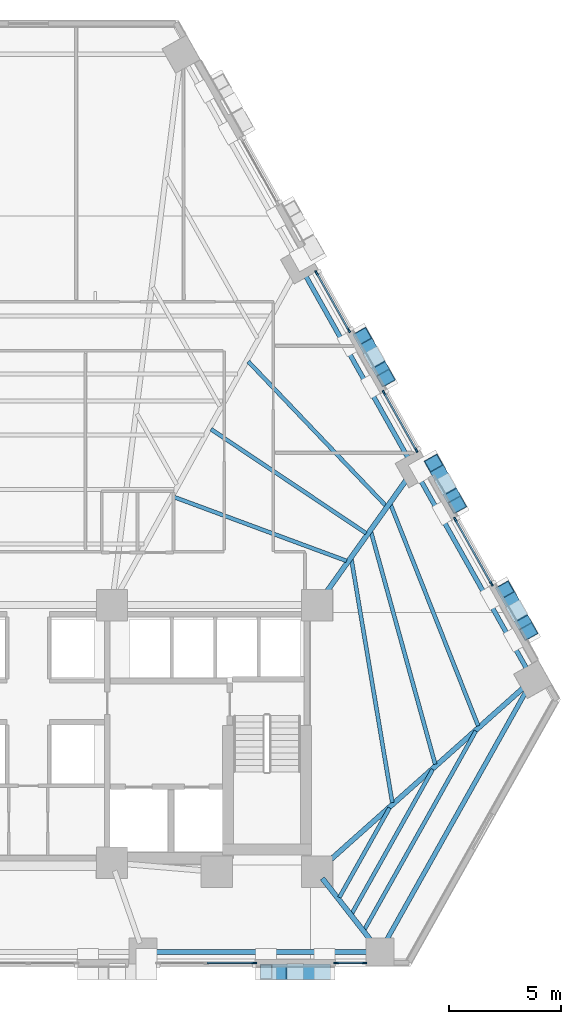
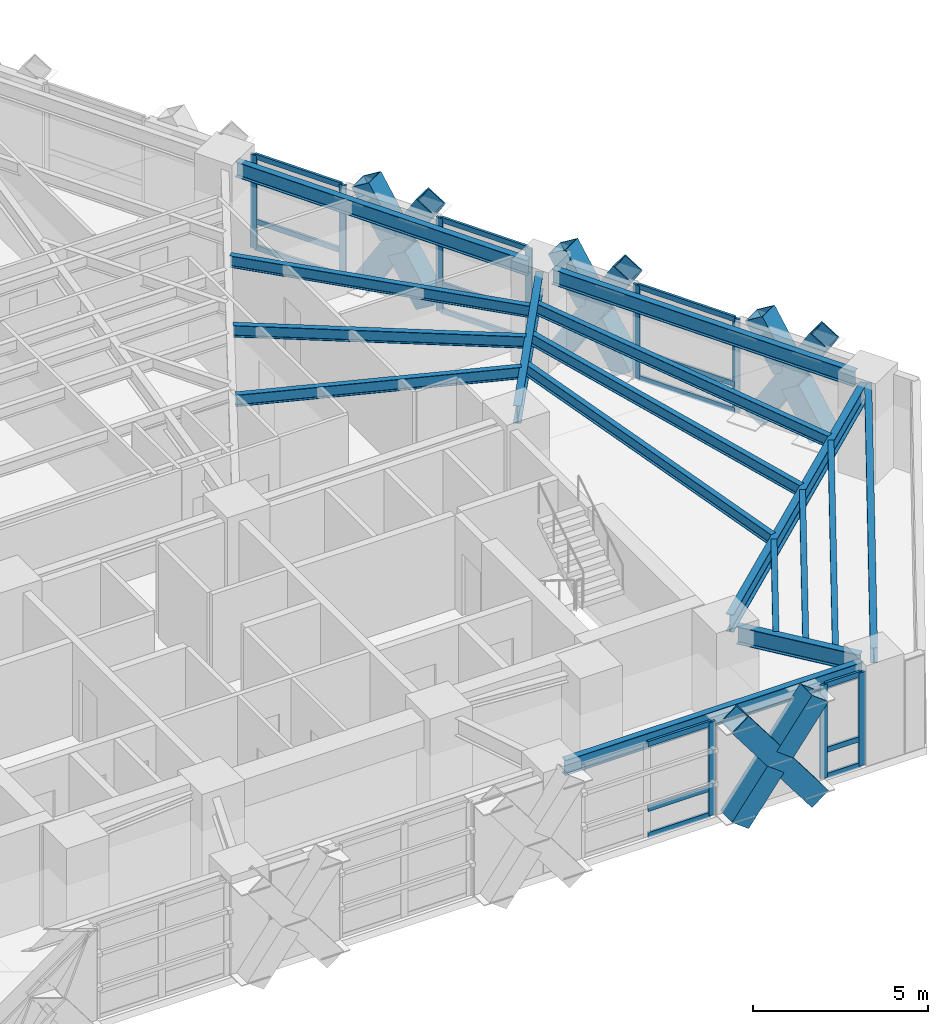
# One storey, part 4 of 13: 36 members, 16 beams, 5 elements without a shape of their own.
"""IFC4 building model written with IfcOpenShell, lengths in metres."""

from ifc_helpers import new_model, si_unit, direction, frame, origin, origin_2d, place, context, subcontext, project, spatial, rectangle, hollow_rectangle, i_section, extrude, material, material_profile, profile_set, type_object, element, aggregate, save


model = new_model("IFC4")

# Units and contexts
model_context = context("Model", 3, precision=1e-05, world=origin(), true_north=direction((0.0, 1.0)))
body_context = subcontext(model_context, "Body", "Model", "MODEL_VIEW")
ifc_project = project(units=[si_unit("LENGTHUNIT", "METRE"), si_unit("AREAUNIT", "SQUARE_METRE"), si_unit("VOLUMEUNIT", "CUBIC_METRE"), si_unit("PLANEANGLEUNIT", "RADIAN"), si_unit("MASSUNIT", "GRAM", prefix="KILO")], contexts=[model_context])

# Site, building, storey
site_placement = place(None, origin())
site = spatial("IfcSite", under=ifc_project, at=site_placement, CompositionType="ELEMENT")
building_placement = place(site_placement, origin())
building = spatial("IfcBuilding", under=site, at=building_placement, Name="Quenlor Broadcast Tower", CompositionType="ELEMENT")
storey_placement = place(building_placement, frame((0.0, 0.0, 52.10009765625)))
storey = spatial("IfcBuildingStorey", under=building, at=storey_placement, Name="L13", CompositionType="ELEMENT", Elevation=52.10009765625)

# Curtain wall, members
ifc_material_1 = material(Name="Architectural Terracotta and Low-E Glazing", Category="masonry")
curtain_wall_type = type_object("IfcCurtainWallType", Name="Unitised Terracotta Curtain Wall System Z1", PredefinedType="NOTDEFINED", material=ifc_material_1)
curtain_wall_1_placement = place(storey_placement, origin())
curtain_wall_1 = element("IfcCurtainWall", 1, at=curtain_wall_1_placement, inside=storey, type_object=curtain_wall_type, Name="L13 Curtain Wall CW1 (L13-SA-G1)", PredefinedType="NOTDEFINED")
ifc_material_2 = material(Name="Aluminium 6063-T6", Category="aluminium")
ifc_material_profile_1 = material_profile(ifc_material_2, rectangle(XDim=0.080078125, YDim=0.219970703125, at=origin_2d()))
ifc_profile_set_1 = profile_set([ifc_material_profile_1], Name="Aluminium 6063-T6 MULL80x220")
member_type_1 = type_object("IfcMemberType", Name="CW1 Aluminium Mullion MULL_CW1", PredefinedType="MULLION", material=ifc_profile_set_1)
member_1_placement = place(storey_placement, frame((15.0751953125, -20.840087890625, 0.0), z_axis=(0.0, 0.0, 1.0), x_axis=(0.0, -1.0, 0.0)))
member_1 = element("IfcMember", 2, at=member_1_placement, type_object=member_type_1, Name="CW1 mullion 1", PredefinedType="MULLION", context=body_context, shape_type="SweptSolid", body=[
    extrude(rectangle(XDim=0.080078125, YDim=0.219970703125, at=origin_2d()), origin(), (0.0, 0.0, 1.0), 3.25),
])
member_2_placement = place(storey_placement, frame((13.806884765625, -20.840087890625, 0.0), z_axis=(0.0, 0.0, 1.0), x_axis=(0.0, -1.0, 0.0)))
member_2 = element("IfcMember", 3, at=member_2_placement, type_object=member_type_1, Name="CW1 mullion 2", PredefinedType="MULLION", context=body_context, shape_type="SweptSolid", body=[
    extrude(rectangle(XDim=0.080078125, YDim=0.219970703125, at=origin_2d()), origin(), (0.0, 0.0, 1.0), 3.25),
])

# Curtain wall, member
curtain_wall_2_placement = place(storey_placement, origin())
curtain_wall_2 = element("IfcCurtainWall", 4, at=curtain_wall_2_placement, inside=storey, type_object=curtain_wall_type, Name="L13 Curtain Wall CW1 (L13-SA-G2)", PredefinedType="NOTDEFINED")
member_3_placement = place(storey_placement, frame((10.134765625, -20.840087890625, 0.0), z_axis=(0.0, 0.0, 1.0), x_axis=(0.0, -1.0, 0.0)))
member_3 = element("IfcMember", 5, at=member_3_placement, type_object=member_type_1, Name="CW1 mullion 1", PredefinedType="MULLION", context=body_context, shape_type="SweptSolid", body=[
    extrude(rectangle(XDim=0.080078125, YDim=0.219970703125, at=origin_2d()), origin(), (0.0, 0.0, 1.0), 3.25),
])

# Curtain wall, members
curtain_wall_3_placement = place(storey_placement, origin())
curtain_wall_3 = element("IfcCurtainWall", 6, at=curtain_wall_3_placement, inside=storey, type_object=curtain_wall_type, Name="L13 Curtain Wall CW1 (L13-NEC-G1)", PredefinedType="NOTDEFINED")
member_4_placement = place(storey_placement, frame((19.146484375, -0.964599609375, 0.0), z_axis=(0.0, 0.0, 1.0), x_axis=(0.871577906875, 0.49025702672, 0.0)))
member_4 = element("IfcMember", 7, at=member_4_placement, type_object=member_type_1, Name="CW1 mullion 1", PredefinedType="MULLION", context=body_context, shape_type="SweptSolid", body=[
    extrude(rectangle(XDim=0.080078125, YDim=0.219970703125, at=origin_2d()), origin(), (0.0, 0.0, 1.0), 3.25),
])
member_5_placement = place(storey_placement, frame((20.764892578125, -3.841552734375, 0.0), z_axis=(0.0, 0.0, 1.0), x_axis=(0.871577906875, 0.49025702672, 0.0)))
member_5 = element("IfcMember", 8, at=member_5_placement, type_object=member_type_1, Name="CW1 mullion 2", PredefinedType="MULLION", context=body_context, shape_type="SweptSolid", body=[
    extrude(rectangle(XDim=0.080078125, YDim=0.219970703125, at=origin_2d()), origin(), (0.0, 0.0, 1.0), 3.25),
])

curtain_wall_4_placement = place(storey_placement, origin())
curtain_wall_4 = element("IfcCurtainWall", 9, at=curtain_wall_4_placement, inside=storey, type_object=curtain_wall_type, Name="L13 Curtain Wall CW1 (L13-NE-G1)", PredefinedType="NOTDEFINED")
member_6_placement = place(storey_placement, frame((12.926025390625, 10.09423828125, 0.0), z_axis=(0.0, 0.0, 1.0), x_axis=(0.871568481465, 0.490273782815, 0.0)))
member_6 = element("IfcMember", 10, at=member_6_placement, type_object=member_type_1, Name="CW1 mullion 1", PredefinedType="MULLION", context=body_context, shape_type="SweptSolid", body=[
    extrude(rectangle(XDim=0.080078125, YDim=0.219970703125, at=origin_2d()), origin(), (0.0, 0.0, 1.0), 3.25),
])
member_7_placement = place(storey_placement, frame((14.371337890625, 7.524658203125, 0.0), z_axis=(0.0, 0.0, 1.0), x_axis=(0.871568481465, 0.490273782815, 0.0)))
member_7 = element("IfcMember", 11, at=member_7_placement, type_object=member_type_1, Name="CW1 mullion 2", PredefinedType="MULLION", context=body_context, shape_type="SweptSolid", body=[
    extrude(rectangle(XDim=0.080078125, YDim=0.219970703125, at=origin_2d()), origin(), (0.0, 0.0, 1.0), 3.25),
])

curtain_wall_5_placement = place(storey_placement, origin())
curtain_wall_5 = element("IfcCurtainWall", 12, at=curtain_wall_5_placement, inside=storey, type_object=curtain_wall_type, Name="L13 Curtain Wall CW1 (L13-NE-G2)", PredefinedType="NOTDEFINED")
member_8_placement = place(storey_placement, frame((15.94970703125, 4.718505859375, 0.0), z_axis=(0.0, 0.0, 1.0), x_axis=(0.871568481465, 0.490273782815, 0.0)))
member_8 = element("IfcMember", 13, at=member_8_placement, type_object=member_type_1, Name="CW1 mullion 1", PredefinedType="MULLION", context=body_context, shape_type="SweptSolid", body=[
    extrude(rectangle(XDim=0.080078125, YDim=0.219970703125, at=origin_2d()), origin(), (0.0, 0.0, 1.0), 3.25),
])
member_9_placement = place(storey_placement, frame((17.39501953125, 2.149169921875, 0.0), z_axis=(0.0, 0.0, 1.0), x_axis=(0.871568481465, 0.490273782815, 0.0)))
member_9 = element("IfcMember", 14, at=member_9_placement, type_object=member_type_1, Name="CW1 mullion 2", PredefinedType="MULLION", context=body_context, shape_type="SweptSolid", body=[
    extrude(rectangle(XDim=0.080078125, YDim=0.219970703125, at=origin_2d()), origin(), (0.0, 0.0, 1.0), 3.25),
])

# Member
ifc_material_3 = material(Name="Aluminium 6063-T6", Category="aluminium")
ifc_material_profile_2 = material_profile(ifc_material_3, rectangle(XDim=0.080078125, YDim=0.179931640625, at=origin_2d()))
ifc_profile_set_2 = profile_set([ifc_material_profile_2], Name="Aluminium 6063-T6 TRAN80x180")
member_type_2 = type_object("IfcMemberType", Name="CW1 Aluminium Transom TRAN_CW1", PredefinedType="USERDEFINED", material=ifc_profile_set_2)
member_10_placement = place(storey_placement, frame((15.03515625, -20.840087890625, 0.039794921875), z_axis=(-1.0, 0.0, 0.0), x_axis=(0.0, -1.0, 0.0)))
member_10 = element("IfcMember", 15, at=member_10_placement, type_object=member_type_2, Name="CW1 transom 1.1", ObjectType="TRANSOM", PredefinedType="USERDEFINED", context=body_context, shape_type="SweptSolid", body=[
    extrude(rectangle(XDim=0.080078125, YDim=0.179931640625, at=origin_2d()), origin(), (0.0, 0.0, 1.0), 1.1884765625),
])

member_11_placement = place(storey_placement, frame((15.03515625, -20.840087890625, 0.949951171875), z_axis=(-1.0, 0.0, 0.0), x_axis=(0.0, -1.0, 0.0)))
member_11 = element("IfcMember", 16, at=member_11_placement, type_object=member_type_2, Name="CW1 transom 1.2", ObjectType="TRANSOM", PredefinedType="USERDEFINED", context=body_context, shape_type="SweptSolid", body=[
    extrude(rectangle(XDim=0.080078125, YDim=0.179931640625, at=origin_2d()), origin(), (0.0, 0.0, 1.0), 1.1884765625),
])

member_12_placement = place(storey_placement, frame((15.03515625, -20.840087890625, 3.2099609375), z_axis=(-1.0, 0.0, 0.0), x_axis=(0.0, -1.0, 0.0)))
member_12 = element("IfcMember", 17, at=member_12_placement, type_object=member_type_2, Name="CW1 transom 1.3", ObjectType="TRANSOM", PredefinedType="USERDEFINED", context=body_context, shape_type="SweptSolid", body=[
    extrude(rectangle(XDim=0.080078125, YDim=0.179931640625, at=origin_2d()), origin(), (0.0, 0.0, 1.0), 1.1884765625),
])

aggregate(curtain_wall_1, [member_1, member_2, member_10, member_11, member_12])

member_13_placement = place(storey_placement, frame((10.0947265625, -20.840087890625, 0.039794921875), z_axis=(-1.0, 0.0, 0.0), x_axis=(0.0, -1.0, 0.0)))
member_13 = element("IfcMember", 18, at=member_13_placement, type_object=member_type_2, Name="CW1 transom 1.1", ObjectType="TRANSOM", PredefinedType="USERDEFINED", context=body_context, shape_type="SweptSolid", body=[
    extrude(rectangle(XDim=0.080078125, YDim=0.179931640625, at=origin_2d()), origin(), (0.0, 0.0, 1.0), 2.072021484375),
])

member_14_placement = place(storey_placement, frame((10.0947265625, -20.840087890625, 0.949951171875), z_axis=(-1.0, 0.0, 0.0), x_axis=(0.0, -1.0, 0.0)))
member_14 = element("IfcMember", 19, at=member_14_placement, type_object=member_type_2, Name="CW1 transom 1.2", ObjectType="TRANSOM", PredefinedType="USERDEFINED", context=body_context, shape_type="SweptSolid", body=[
    extrude(rectangle(XDim=0.080078125, YDim=0.179931640625, at=origin_2d()), origin(), (0.0, 0.0, 1.0), 2.072021484375),
])

member_15_placement = place(storey_placement, frame((10.0947265625, -20.840087890625, 3.2099609375), z_axis=(-1.0, 0.0, 0.0), x_axis=(0.0, -1.0, 0.0)))
member_15 = element("IfcMember", 20, at=member_15_placement, type_object=member_type_2, Name="CW1 transom 1.3", ObjectType="TRANSOM", PredefinedType="USERDEFINED", context=body_context, shape_type="SweptSolid", body=[
    extrude(rectangle(XDim=0.080078125, YDim=0.179931640625, at=origin_2d()), origin(), (0.0, 0.0, 1.0), 2.072021484375),
])

aggregate(curtain_wall_2, [member_3, member_13, member_14, member_15])

member_16_placement = place(storey_placement, frame((19.166015625, -0.99951171875, 0.039794921875), z_axis=(0.490250443683, -0.871581609758, 0.0), x_axis=(0.871581609758, 0.490250443683, 0.0)))
member_16 = element("IfcMember", 21, at=member_16_placement, type_object=member_type_2, Name="CW1 transom 1.1", ObjectType="TRANSOM", PredefinedType="USERDEFINED", context=body_context, shape_type="SweptSolid", body=[
    extrude(rectangle(XDim=0.080078125, YDim=0.179931640625, at=origin_2d()), origin(), (0.0, 0.0, 1.0), 3.220947265625),
])

member_17_placement = place(storey_placement, frame((19.166015625, -0.99951171875, 0.949951171875), z_axis=(0.490250443683, -0.871581609758, 0.0), x_axis=(0.871581609758, 0.490250443683, 0.0)))
member_17 = element("IfcMember", 22, at=member_17_placement, type_object=member_type_2, Name="CW1 transom 1.2", ObjectType="TRANSOM", PredefinedType="USERDEFINED", context=body_context, shape_type="SweptSolid", body=[
    extrude(rectangle(XDim=0.080078125, YDim=0.179931640625, at=origin_2d()), origin(), (0.0, 0.0, 1.0), 3.220947265625),
])

member_18_placement = place(storey_placement, frame((19.166015625, -0.99951171875, 3.2099609375), z_axis=(0.490250443683, -0.871581609758, 0.0), x_axis=(0.871581609758, 0.490250443683, 0.0)))
member_18 = element("IfcMember", 23, at=member_18_placement, type_object=member_type_2, Name="CW1 transom 1.3", ObjectType="TRANSOM", PredefinedType="USERDEFINED", context=body_context, shape_type="SweptSolid", body=[
    extrude(rectangle(XDim=0.080078125, YDim=0.179931640625, at=origin_2d()), origin(), (0.0, 0.0, 1.0), 3.220947265625),
])

aggregate(curtain_wall_3, [member_4, member_5, member_16, member_17, member_18])

member_19_placement = place(storey_placement, frame((12.945556640625, 10.059326171875, 0.039794921875), z_axis=(0.490232948684, -0.871591450179, 0.0), x_axis=(0.871591450179, 0.490232948684, 0.0)))
member_19 = element("IfcMember", 24, at=member_19_placement, type_object=member_type_2, Name="CW1 transom 1.1", ObjectType="TRANSOM", PredefinedType="USERDEFINED", context=body_context, shape_type="SweptSolid", body=[
    extrude(rectangle(XDim=0.080078125, YDim=0.179931640625, at=origin_2d()), origin(), (0.0, 0.0, 1.0), 2.867919921875),
])

member_20_placement = place(storey_placement, frame((12.945556640625, 10.059326171875, 0.949951171875), z_axis=(0.490232948684, -0.871591450179, 0.0), x_axis=(0.871591450179, 0.490232948684, 0.0)))
member_20 = element("IfcMember", 25, at=member_20_placement, type_object=member_type_2, Name="CW1 transom 1.2", ObjectType="TRANSOM", PredefinedType="USERDEFINED", context=body_context, shape_type="SweptSolid", body=[
    extrude(rectangle(XDim=0.080078125, YDim=0.179931640625, at=origin_2d()), origin(), (0.0, 0.0, 1.0), 2.867919921875),
])

member_21_placement = place(storey_placement, frame((12.945556640625, 10.059326171875, 3.2099609375), z_axis=(0.490232948684, -0.871591450179, 0.0), x_axis=(0.871591450179, 0.490232948684, 0.0)))
member_21 = element("IfcMember", 26, at=member_21_placement, type_object=member_type_2, Name="CW1 transom 1.3", ObjectType="TRANSOM", PredefinedType="USERDEFINED", context=body_context, shape_type="SweptSolid", body=[
    extrude(rectangle(XDim=0.080078125, YDim=0.179931640625, at=origin_2d()), origin(), (0.0, 0.0, 1.0), 2.867919921875),
])

aggregate(curtain_wall_4, [member_6, member_7, member_19, member_20, member_21])

member_22_placement = place(storey_placement, frame((15.96923828125, 4.68359375, 0.039794921875), z_axis=(0.490297611432, -0.871555076988, 0.0), x_axis=(0.871555076988, 0.490297611432, 0.0)))
member_22 = element("IfcMember", 27, at=member_22_placement, type_object=member_type_2, Name="CW1 transom 1.1", ObjectType="TRANSOM", PredefinedType="USERDEFINED", context=body_context, shape_type="SweptSolid", body=[
    extrude(rectangle(XDim=0.080078125, YDim=0.179931640625, at=origin_2d()), origin(), (0.0, 0.0, 1.0), 2.8681640625),
])

member_23_placement = place(storey_placement, frame((15.96923828125, 4.68359375, 0.949951171875), z_axis=(0.490297611432, -0.871555076988, 0.0), x_axis=(0.871555076988, 0.490297611432, 0.0)))
member_23 = element("IfcMember", 28, at=member_23_placement, type_object=member_type_2, Name="CW1 transom 1.2", ObjectType="TRANSOM", PredefinedType="USERDEFINED", context=body_context, shape_type="SweptSolid", body=[
    extrude(rectangle(XDim=0.080078125, YDim=0.179931640625, at=origin_2d()), origin(), (0.0, 0.0, 1.0), 2.8681640625),
])

member_24_placement = place(storey_placement, frame((15.96923828125, 4.68359375, 3.2099609375), z_axis=(0.490297611432, -0.871555076988, 0.0), x_axis=(0.871555076988, 0.490297611432, 0.0)))
member_24 = element("IfcMember", 29, at=member_24_placement, type_object=member_type_2, Name="CW1 transom 1.3", ObjectType="TRANSOM", PredefinedType="USERDEFINED", context=body_context, shape_type="SweptSolid", body=[
    extrude(rectangle(XDim=0.080078125, YDim=0.179931640625, at=origin_2d()), origin(), (0.0, 0.0, 1.0), 2.8681640625),
])

aggregate(curtain_wall_5, [member_8, member_9, member_22, member_23, member_24])

# Members
ifc_material_4 = material(Name="Steel S355", Category="steel")
ifc_material_profile_3 = material_profile(ifc_material_4, hollow_rectangle(XDim=0.679931640625, YDim=0.679931640625, WallThickness=0.034912109375, at=origin_2d()))
ifc_profile_set_3 = profile_set([ifc_material_profile_3], Name="Steel S355 RHS680x680x35")
member_type_3 = type_object("IfcMemberType", Name="Perimeter Diagonal Lattice Brace Z1 Steel S355 RHS680x35", PredefinedType="BRACE", material=ifc_profile_set_3)
member_25_placement = place(storey_placement, frame((13.284912109375, -21.235107421875, -0.1201171875), z_axis=(-0.60049964856, 0.0, 0.799625019668), x_axis=(0.0, -1.0, 0.0)))
element("IfcMember", 30, at=member_25_placement, inside=storey, type_object=member_type_3, Name="L13 Perimeter Diamond Lattice S-C1XA", PredefinedType="BRACE", context=body_context, shape_type="SweptSolid", body=[
    extrude(hollow_rectangle(XDim=0.679931640625, YDim=0.679931640625, WallThickness=0.034912109375, at=origin_2d()), origin(), (0.0, 0.0, 1.0), 4.376953125),
])
for number, where, z_axis, x_axis, name in (
    (31, (10.656494140625, -21.235107421875, -0.1201171875), (0.600503659272, 0.0, 0.799622007701), (0.0, 1.0, 0.0), "L13 Perimeter Diamond Lattice S-C1XB1"),
    (32, (12.120849609375, -21.235107421875, 1.829833984375), (0.600503659272, 0.0, 0.799622007701), (0.0, 1.0, 0.0), "L13 Perimeter Diamond Lattice S-C1XB2"),
):
    element("IfcMember", number, at=place(storey_placement, frame(where, z_axis=z_axis, x_axis=x_axis)), inside=storey, type_object=member_type_3, Name=name, PredefinedType="BRACE", context=body_context, shape_type="SweptSolid", body=[
        extrude(hollow_rectangle(XDim=0.679931640625, YDim=0.679931640625, WallThickness=0.034912109375, at=origin_2d()), origin(), (0.0, 0.0, 1.0), 1.9384765625),
    ])
member_26_placement = place(storey_placement, frame((14.978515625, 7.251220703125, -0.1201171875), z_axis=(0.256368393635, -0.455838699906, 0.852341672343), x_axis=(0.871608931644, 0.490201866865, 0.0)))
element("IfcMember", 33, at=member_26_placement, inside=storey, type_object=member_type_3, Name="L13 Perimeter Diamond Lattice NE-C3XA", PredefinedType="BRACE", context=body_context, shape_type="SweptSolid", body=[
    extrude(hollow_rectangle(XDim=0.679931640625, YDim=0.679931640625, WallThickness=0.034912109375, at=origin_2d()), origin(), (0.0, 0.0, 1.0), 4.1064453125),
])
for number, where, z_axis, x_axis, name in (
    (34, (16.03125, 5.37939453125, -0.1201171875), (-0.256435894674, 0.455870991217, 0.852304095549), (-0.871568623966, -0.49027352949, 0.0), "L13 Perimeter Diamond Lattice NE-C3XB1"),
    (35, (15.440673828125, 6.42919921875, 1.843017578125), (-0.256309397679, 0.455886815629, 0.852333681135), (-0.871679226863, -0.490076856683, 0.0), "L13 Perimeter Diamond Lattice NE-C3XB2"),
):
    element("IfcMember", number, at=place(storey_placement, frame(where, z_axis=z_axis, x_axis=x_axis)), inside=storey, type_object=member_type_3, Name=name, PredefinedType="BRACE", context=body_context, shape_type="SweptSolid", body=[
        extrude(hollow_rectangle(XDim=0.679931640625, YDim=0.679931640625, WallThickness=0.034912109375, at=origin_2d()), origin(), (0.0, 0.0, 1.0), 1.80322265625),
    ])
member_27_placement = place(storey_placement, frame((18.175048828125, 1.56787109375, -0.1201171875), z_axis=(0.256430888508, -0.455784649039, 0.8523517778), x_axis=(0.871533027316, 0.490336804959, 0.0)))
element("IfcMember", 36, at=member_27_placement, inside=storey, type_object=member_type_3, Name="L13 Perimeter Diamond Lattice NE-C4XA", PredefinedType="BRACE", context=body_context, shape_type="SweptSolid", body=[
    extrude(hollow_rectangle(XDim=0.679931640625, YDim=0.679931640625, WallThickness=0.034912109375, at=origin_2d()), origin(), (0.0, 0.0, 1.0), 4.106201171875),
])
member_28_placement = place(storey_placement, frame((19.22802734375, -0.3037109375, -0.1201171875), z_axis=(-0.256435894674, 0.455870991217, 0.852304095549), x_axis=(-0.871568623966, -0.49027352949, 0.0)))
element("IfcMember", 37, at=member_28_placement, inside=storey, type_object=member_type_3, Name="L13 Perimeter Diamond Lattice NE-C4XB1", PredefinedType="BRACE", context=body_context, shape_type="SweptSolid", body=[
    extrude(hollow_rectangle(XDim=0.679931640625, YDim=0.679931640625, WallThickness=0.034912109375, at=origin_2d()), origin(), (0.0, 0.0, 1.0), 1.80322265625),
])
member_29_placement = place(storey_placement, frame((18.637451171875, 0.74609375, 1.843017578125), z_axis=(-0.256451721554, 0.455763724789, 0.852356698618), x_axis=(-0.871506382136, -0.490384161547, 0.0)))
element("IfcMember", 38, at=member_29_placement, inside=storey, type_object=member_type_3, Name="L13 Perimeter Diamond Lattice NE-C4XB2", PredefinedType="BRACE", context=body_context, shape_type="SweptSolid", body=[
    extrude(hollow_rectangle(XDim=0.679931640625, YDim=0.679931640625, WallThickness=0.034912109375, at=origin_2d()), origin(), (0.0, 0.0, 1.0), 1.802978515625),
])
member_30_placement = place(storey_placement, frame((21.371826171875, -4.115234375, -0.1201171875), z_axis=(0.256430888508, -0.455784649039, 0.8523517778), x_axis=(0.871533027316, 0.490336804959, 0.0)))
element("IfcMember", 39, at=member_30_placement, inside=storey, type_object=member_type_3, Name="L13 Perimeter Diamond Lattice NE-C5XA", PredefinedType="BRACE", context=body_context, shape_type="SweptSolid", body=[
    extrude(hollow_rectangle(XDim=0.679931640625, YDim=0.679931640625, WallThickness=0.034912109375, at=origin_2d()), origin(), (0.0, 0.0, 1.0), 4.106201171875),
])
for number, where, z_axis, x_axis, name in (
    (40, (22.4248046875, -5.98681640625, -0.1201171875), (-0.256451721554, 0.455763724789, 0.852356698618), (-0.871506382136, -0.490384161547, 0.0), "L13 Perimeter Diamond Lattice NE-C5XB1"),
    (41, (21.834228515625, -4.93701171875, 1.843017578125), (-0.256451721554, 0.455763724789, 0.852356698618), (-0.871506382136, -0.490384161547, 0.0), "L13 Perimeter Diamond Lattice NE-C5XB2"),
):
    element("IfcMember", number, at=place(storey_placement, frame(where, z_axis=z_axis, x_axis=x_axis)), inside=storey, type_object=member_type_3, Name=name, PredefinedType="BRACE", context=body_context, shape_type="SweptSolid", body=[
        extrude(hollow_rectangle(XDim=0.679931640625, YDim=0.679931640625, WallThickness=0.034912109375, at=origin_2d()), origin(), (0.0, 0.0, 1.0), 1.802978515625),
    ])

# Beams
ifc_material_5 = material(Name="Steel S355", Category="steel")
ifc_material_profile_4 = material_profile(ifc_material_5, i_section(OverallWidth=0.208984375, OverallDepth=0.532958984375, WebThickness=0.01025390625, FlangeThickness=0.015625, FilletRadius=0.013916015625, at=origin_2d()))
ifc_profile_set_4 = profile_set([ifc_material_profile_4], Name="Steel S355 530UB92.4")
beam_type_1 = type_object("IfcBeamType", Name="Perimeter Spandrel Beam Z1 Steel S355 530UB92.4", PredefinedType="SPANDREL", material=ifc_profile_set_4)
beam_1_placement = place(storey_placement, frame((5.55078125, -20.35009765625, 2.9833984375), z_axis=(1.0, 0.0, 0.0), x_axis=(0.0, 1.0, 0.0)))
element("IfcBeam", 42, at=beam_1_placement, inside=storey, type_object=beam_type_1, Name="L13 Spandrel Beam S3-S4", PredefinedType="SPANDREL", context=body_context, shape_type="SweptSolid", body=[
    extrude(i_section(OverallWidth=0.208984375, OverallDepth=0.532958984375, WebThickness=0.01025390625, FlangeThickness=0.015625, FilletRadius=0.013916015625, at=origin_2d()), origin(), (0.0, 0.0, 1.0), 9.80419921875),
])
beam_2_placement = place(storey_placement, frame((15.965576171875, -19.992431640625, 2.9833984375), z_axis=(0.489090917871, 0.87223280955, 0.0), x_axis=(-0.87223280955, 0.489090917871, 0.0)))
element("IfcBeam", 43, at=beam_2_placement, inside=storey, type_object=beam_type_1, Name="L13 Spandrel Beam S4-NE1", PredefinedType="SPANDREL", context=body_context, shape_type="SweptSolid", body=[
    extrude(i_section(OverallWidth=0.208984375, OverallDepth=0.532958984375, WebThickness=0.01025390625, FlangeThickness=0.015625, FilletRadius=0.013916015625, at=origin_2d()), origin(), (0.0, 0.0, 1.0), 13.187744140625),
])
beam_3_placement = place(storey_placement, frame((22.4150390625, -7.77490234375, 2.9833984375), z_axis=(-0.490257767622, 0.871577490121, 0.0), x_axis=(-0.871577490121, -0.490257767622, 0.0)))
element("IfcBeam", 44, at=beam_3_placement, inside=storey, type_object=beam_type_1, Name="L13 Spandrel Beam NE1-NE2", PredefinedType="SPANDREL", context=body_context, shape_type="SweptSolid", body=[
    extrude(i_section(OverallWidth=0.208984375, OverallDepth=0.532958984375, WebThickness=0.01025390625, FlangeThickness=0.015625, FilletRadius=0.013916015625, at=origin_2d()), origin(), (0.0, 0.0, 1.0), 10.015380859375),
])
beam_4_placement = place(storey_placement, frame((17.102783203125, 1.6689453125, 2.9833984375), z_axis=(-0.490257642051, 0.871577560755, 0.0), x_axis=(-0.871577560755, -0.490257642051, 0.0)))
element("IfcBeam", 45, at=beam_4_placement, inside=storey, type_object=beam_type_1, Name="L13 Spandrel Beam NE2-NE3", PredefinedType="SPANDREL", context=body_context, shape_type="SweptSolid", body=[
    extrude(i_section(OverallWidth=0.208984375, OverallDepth=0.532958984375, WebThickness=0.01025390625, FlangeThickness=0.015625, FilletRadius=0.013916015625, at=origin_2d()), origin(), (0.0, 0.0, 1.0), 9.665771484375),
])
ifc_material_6 = material(Name="Steel S355", Category="steel")
ifc_material_profile_5 = material_profile(ifc_material_6, i_section(OverallWidth=0.177978515625, OverallDepth=0.406494140625, WebThickness=0.0078125, FlangeThickness=0.0126953125, FilletRadius=0.011474609375, at=origin_2d()))
ifc_profile_set_5 = profile_set([ifc_material_profile_5], Name="Steel S355 410UB59.7")
beam_type_2 = type_object("IfcBeamType", Name="Tower Composite Joist Z1 Steel S355 410UB59.7", PredefinedType="JOIST", material=ifc_profile_set_5)
beam_5_placement = place(storey_placement, frame((14.268310546875, -2.81640625, 3.046630859375), z_axis=(-0.937824633945, 0.347109429383, 0.0), x_axis=(-0.347109429383, -0.937824633945, 0.0)))
element("IfcBeam", 46, at=beam_5_placement, inside=storey, type_object=beam_type_2, Name="L13 Secondary Composite Joist 10", PredefinedType="JOIST", context=body_context, shape_type="SweptSolid", body=[
    extrude(i_section(OverallWidth=0.177978515625, OverallDepth=0.406494140625, WebThickness=0.0078125, FlangeThickness=0.0126953125, FilletRadius=0.011474609375, at=origin_2d()), origin(), (0.0, 0.0, 1.0), 8.26513671875),
])
beam_6_placement = place(storey_placement, frame((15.147705078125, -1.577392578125, 3.046630859375), z_axis=(-0.830625844363, 0.556830949819, 0.0), x_axis=(-0.556830949819, -0.830625844363, 0.0)))
element("IfcBeam", 47, at=beam_6_placement, inside=storey, type_object=beam_type_2, Name="L13 Secondary Composite Joist 11", PredefinedType="JOIST", context=body_context, shape_type="SweptSolid", body=[
    extrude(i_section(OverallWidth=0.177978515625, OverallDepth=0.406494140625, WebThickness=0.0078125, FlangeThickness=0.0126953125, FilletRadius=0.011474609375, at=origin_2d()), origin(), (0.0, 0.0, 1.0), 8.374755859375),
])
beam_7_placement = place(storey_placement, frame((16.029541015625, -0.341796875, 3.046630859375), z_axis=(-0.690241086162, 0.723579465556, 0.0), x_axis=(-0.723579465556, -0.690241086162, 0.0)))
element("IfcBeam", 48, at=beam_7_placement, inside=storey, type_object=beam_type_2, Name="L13 Secondary Composite Joist 12", PredefinedType="JOIST", context=body_context, shape_type="SweptSolid", body=[
    extrude(i_section(OverallWidth=0.177978515625, OverallDepth=0.406494140625, WebThickness=0.0078125, FlangeThickness=0.0126953125, FilletRadius=0.011474609375, at=origin_2d()), origin(), (0.0, 0.0, 1.0), 8.93408203125),
])
beam_8_placement = place(storey_placement, frame((16.31982421875, -13.65478515625, 3.046630859375), z_axis=(-0.16559360599, 0.986194077074, 0.0), x_axis=(-0.986194077074, -0.16559360599, 0.0)))
element("IfcBeam", 49, at=beam_8_placement, inside=storey, type_object=beam_type_2, Name="L13 Secondary Composite Joist 16", PredefinedType="JOIST", context=body_context, shape_type="SweptSolid", body=[
    extrude(i_section(OverallWidth=0.177978515625, OverallDepth=0.406494140625, WebThickness=0.0078125, FlangeThickness=0.0126953125, FilletRadius=0.011474609375, at=origin_2d()), origin(), (0.0, 0.0, 1.0), 11.06787109375),
])
beam_9_placement = place(storey_placement, frame((18.2451171875, -11.93310546875, 3.046630859375), z_axis=(-0.266390054368, 0.963865311615, 0.0), x_axis=(-0.963865311615, -0.266390054368, 0.0)))
element("IfcBeam", 50, at=beam_9_placement, inside=storey, type_object=beam_type_2, Name="L13 Secondary Composite Joist 17", PredefinedType="JOIST", context=body_context, shape_type="SweptSolid", body=[
    extrude(i_section(OverallWidth=0.177978515625, OverallDepth=0.406494140625, WebThickness=0.0078125, FlangeThickness=0.0126953125, FilletRadius=0.011474609375, at=origin_2d()), origin(), (0.0, 0.0, 1.0), 10.80810546875),
])
beam_10_placement = place(storey_placement, frame((20.170166015625, -10.212158203125, 3.046630859375), z_axis=(-0.367884833597, 0.929871361646, 0.0), x_axis=(-0.929871361646, -0.367884833597, 0.0)))
element("IfcBeam", 51, at=beam_10_placement, inside=storey, type_object=beam_type_2, Name="L13 Secondary Composite Joist 18", PredefinedType="JOIST", context=body_context, shape_type="SweptSolid", body=[
    extrude(i_section(OverallWidth=0.177978515625, OverallDepth=0.406494140625, WebThickness=0.0078125, FlangeThickness=0.0126953125, FilletRadius=0.011474609375, at=origin_2d()), origin(), (0.0, 0.0, 1.0), 10.669921875),
])
beam_11_placement = place(storey_placement, frame((13.9462890625, -17.904296875, 3.046630859375), z_axis=(0.489062021968, 0.872249011848, 0.0), x_axis=(-0.872249011848, 0.489062021968, 0.0)))
element("IfcBeam", 52, at=beam_11_placement, inside=storey, type_object=beam_type_2, Name="L13 Secondary Composite Joist 22", PredefinedType="JOIST", context=body_context, shape_type="SweptSolid", body=[
    extrude(i_section(OverallWidth=0.177978515625, OverallDepth=0.406494140625, WebThickness=0.0078125, FlangeThickness=0.0126953125, FilletRadius=0.011474609375, at=origin_2d()), origin(), (0.0, 0.0, 1.0), 4.6025390625),
])
beam_12_placement = place(storey_placement, frame((14.50927734375, -18.624267578125, 3.046630859375), z_axis=(0.489088249322, 0.872234305892, 0.0), x_axis=(-0.872234305892, 0.489088249322, 0.0)))
element("IfcBeam", 53, at=beam_12_placement, inside=storey, type_object=beam_type_2, Name="L13 Secondary Composite Joist 23", PredefinedType="JOIST", context=body_context, shape_type="SweptSolid", body=[
    extrude(i_section(OverallWidth=0.177978515625, OverallDepth=0.406494140625, WebThickness=0.0078125, FlangeThickness=0.0126953125, FilletRadius=0.011474609375, at=origin_2d()), origin(), (0.0, 0.0, 1.0), 7.404296875),
])
beam_13_placement = place(storey_placement, frame((15.072265625, -19.34423828125, 3.046630859375), z_axis=(0.489081877778, 0.872237878579, 0.0), x_axis=(-0.872237878579, 0.489081877778, 0.0)))
element("IfcBeam", 54, at=beam_13_placement, inside=storey, type_object=beam_type_2, Name="L13 Secondary Composite Joist 24", PredefinedType="JOIST", context=body_context, shape_type="SweptSolid", body=[
    extrude(i_section(OverallWidth=0.177978515625, OverallDepth=0.406494140625, WebThickness=0.0078125, FlangeThickness=0.0126953125, FilletRadius=0.011474609375, at=origin_2d()), origin(), (0.0, 0.0, 1.0), 10.205810546875),
])
ifc_material_7 = material(Name="Steel S355", Category="steel")
ifc_material_profile_6 = material_profile(ifc_material_7, i_section(OverallWidth=0.22900390625, OverallDepth=0.611572265625, WebThickness=0.011962890625, FlangeThickness=0.01953125, FilletRadius=0.013916015625, at=origin_2d()))
ifc_profile_set_6 = profile_set([ifc_material_profile_6], Name="Steel S355 610UB125")
beam_type_3 = type_object("IfcBeamType", Name="Tower Primary Floor Beam Z1 Steel S355 610UB125", PredefinedType="BEAM", material=ifc_profile_set_6)
beam_14_placement = place(storey_placement, frame((15.512451171875, -20.027099609375, 2.944091796875), z_axis=(-0.615968610193, 0.78777069713, 0.0), x_axis=(-0.78777069713, -0.615968610193, 0.0)))
element("IfcBeam", 55, at=beam_14_placement, inside=storey, type_object=beam_type_3, Name="L13 Primary Radial Beam S4", PredefinedType="BEAM", context=body_context, shape_type="SweptSolid", body=[
    extrude(i_section(OverallWidth=0.22900390625, OverallDepth=0.611572265625, WebThickness=0.011962890625, FlangeThickness=0.01953125, FilletRadius=0.013916015625, at=origin_2d()), origin(), (0.0, 0.0, 1.0), 3.780029296875),
])
beam_15_placement = place(storey_placement, frame((22.31005859375, -8.40478515625, 2.944091796875), z_axis=(-0.746413754585, -0.665482161268, 0.0), x_axis=(0.665482161268, -0.746413754585, 0.0)))
element("IfcBeam", 56, at=beam_15_placement, inside=storey, type_object=beam_type_3, Name="L13 Primary Radial Beam NE1", PredefinedType="BEAM", context=body_context, shape_type="SweptSolid", body=[
    extrude(i_section(OverallWidth=0.22900390625, OverallDepth=0.611572265625, WebThickness=0.011962890625, FlangeThickness=0.01953125, FilletRadius=0.013916015625, at=origin_2d()), origin(), (0.0, 0.0, 1.0), 12.159912109375),
])
beam_16_placement = place(storey_placement, frame((17.06591796875, 0.977783203125, 2.944091796875), z_axis=(-0.580212680853, -0.814465005373, 0.0), x_axis=(0.814465005373, -0.580212680853, 0.0)))
element("IfcBeam", 57, at=beam_16_placement, inside=storey, type_object=beam_type_3, Name="L13 Primary Radial Beam NE2", PredefinedType="BEAM", context=body_context, shape_type="SweptSolid", body=[
    extrude(i_section(OverallWidth=0.22900390625, OverallDepth=0.611572265625, WebThickness=0.011962890625, FlangeThickness=0.01953125, FilletRadius=0.013916015625, at=origin_2d()), origin(), (0.0, 0.0, 1.0), 6.7138671875),
])

save(model, "model.ifc")
